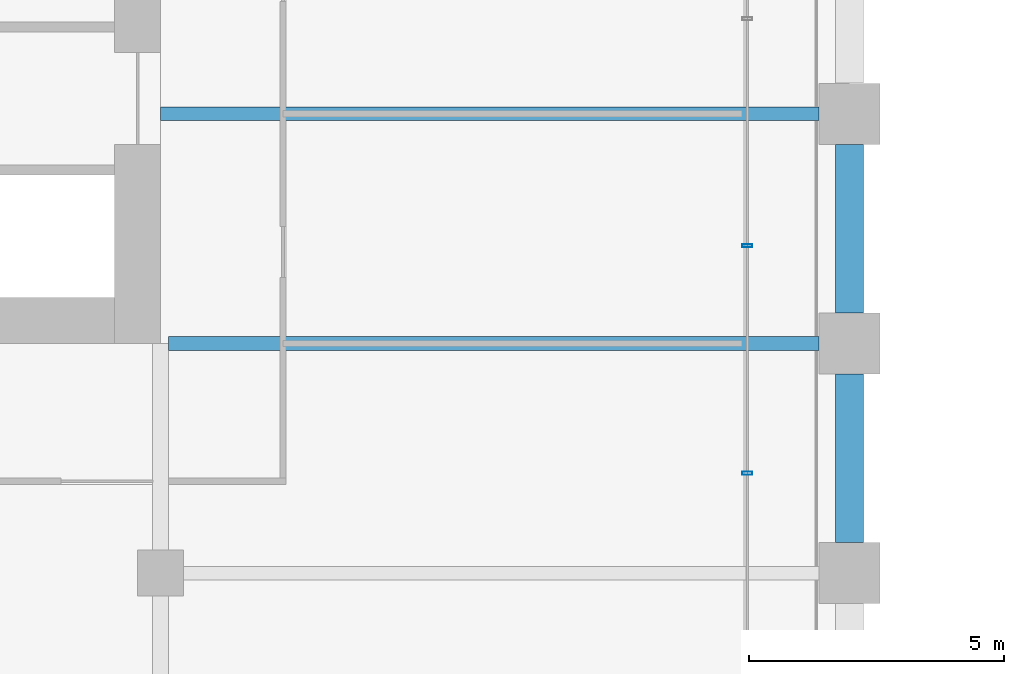
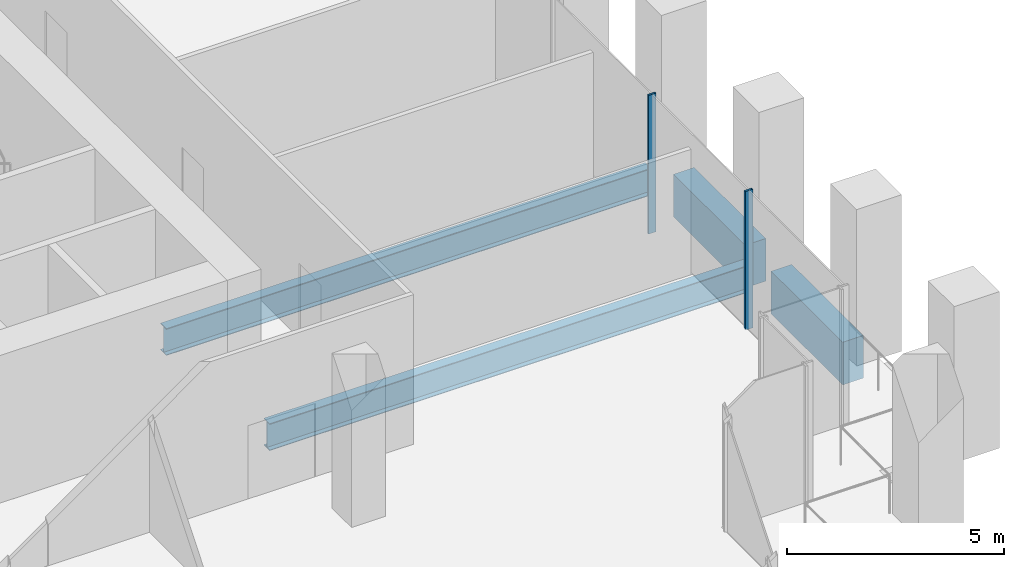
# One storey, part 10 of 36: 4 beams, 2 members, 1 element without a shape of its own.
"""IFC4 building model written with IfcOpenShell, lengths in metres."""

from ifc_helpers import new_model, si_unit, direction, frame, origin, origin_2d, place, context, subcontext, project, spatial, rectangle, hollow_rectangle, i_section, extrude, material, material_profile, profile_set, type_object, element, aggregate, save


model = new_model("IFC4")

# Units and contexts
model_context = context("Model", 3, precision=1e-05, world=origin(), true_north=direction((0.0, 1.0)))
body_context = subcontext(model_context, "Body", "Model", "MODEL_VIEW")
ifc_project = project(units=[si_unit("LENGTHUNIT", "METRE"), si_unit("AREAUNIT", "SQUARE_METRE"), si_unit("VOLUMEUNIT", "CUBIC_METRE"), si_unit("PLANEANGLEUNIT", "RADIAN"), si_unit("MASSUNIT", "GRAM", prefix="KILO")], contexts=[model_context])

# Site, building, storey
site_placement = place(None, origin())
site = spatial("IfcSite", under=ifc_project, at=site_placement, CompositionType="ELEMENT")
building_placement = place(site_placement, origin())
building = spatial("IfcBuilding", under=site, at=building_placement, Name="Altepetl Exchange Towers", CompositionType="ELEMENT")
storey_placement = place(building_placement, frame((0.0, 0.0, 43.0)))
storey = spatial("IfcBuildingStorey", under=building, at=storey_placement, Name="L09", CompositionType="ELEMENT", Elevation=43.0)

# Beams
ifc_material_1 = material(Name="Steel S355", Category="steel")
ifc_material_profile_1 = material_profile(ifc_material_1, i_section(OverallWidth=0.26611328125, OverallDepth=0.758056640625, WebThickness=0.013916015625, FlangeThickness=0.019287109375, at=origin_2d()), Name="W30X108")
ifc_profile_set_1 = profile_set([ifc_material_profile_1], Name="Steel S355")
beam_type_1 = type_object("IfcBeamType", Name="Floor beam W30X108", PredefinedType="BEAM", material=ifc_profile_set_1)
beam_1_placement = place(storey_placement, frame((58.654052734375, 40.5, -0.553955078125), z_axis=(1.0, 0.0, 0.0), x_axis=(0.0, 1.0, 0.0)))
element("IfcBeam", 1, at=beam_1_placement, inside=storey, type_object=beam_type_1, Name="bm:A:L09:008", PredefinedType="BEAM", context=body_context, shape_type="SweptSolid", body=[
    extrude(i_section(OverallWidth=0.26611328125, OverallDepth=0.758056640625, WebThickness=0.013916015625, FlangeThickness=0.019287109375, at=origin_2d()), origin(), (0.0, 0.0, 1.0), 12.745849609375),
])
beam_2_placement = place(storey_placement, frame((58.5, 45.0, -0.553955078125), z_axis=(1.0, 0.0, 0.0), x_axis=(0.0, 1.0, 0.0)))
element("IfcBeam", 2, at=beam_2_placement, inside=storey, type_object=beam_type_1, Name="bm:A:L09:009", PredefinedType="BEAM", context=body_context, shape_type="SweptSolid", body=[
    extrude(i_section(OverallWidth=0.26611328125, OverallDepth=0.758056640625, WebThickness=0.013916015625, FlangeThickness=0.019287109375, at=origin_2d()), origin(), (0.0, 0.0, 1.0), 12.89990234375),
])

# Curtain wall, members
ifc_material_2 = material(Name="Aluminium 6063-T6 glazing", Category="aluminium")
curtain_wall_type = type_object("IfcCurtainWallType", Name="Trading floor glazing system", PredefinedType="NOTDEFINED", material=ifc_material_2)
curtain_wall_placement = place(storey_placement, origin())
curtain_wall = element("IfcCurtainWall", 3, at=curtain_wall_placement, inside=storey, type_object=curtain_wall_type, Name="CW2 run", PredefinedType="NOTDEFINED")
ifc_material_3 = material(Name="Aluminium 6063-T6", Category="aluminium")
ifc_material_profile_2 = material_profile(ifc_material_3, hollow_rectangle(XDim=0.06005859375, YDim=0.199951171875, WallThickness=0.0029296875, at=origin_2d()), Name="Mullion 60x200 aluminium")
ifc_profile_set_2 = profile_set([ifc_material_profile_2], Name="Aluminium 6063-T6")
member_type = type_object("IfcMemberType", Name="Mullion 60x200 aluminium", PredefinedType="MULLION", material=ifc_profile_set_2)
member_1_placement = place(storey_placement, frame((70.0, 37.9560546875, 0.0), z_axis=(0.0, 0.0, 1.0), x_axis=(0.0, 1.0, 0.0)))
member_1 = element("IfcMember", 4, at=member_1_placement, type_object=member_type, Name="MU2 mullion", PredefinedType="MULLION", context=body_context, shape_type="SweptSolid", body=[
    extrude(hollow_rectangle(XDim=0.06005859375, YDim=0.199951171875, WallThickness=0.0029296875, at=origin_2d()), origin(), (0.0, 0.0, 1.0), 3.89990234375),
])
member_2_placement = place(storey_placement, frame((70.0, 42.412109375, 0.0), z_axis=(0.0, 0.0, 1.0), x_axis=(0.0, 1.0, 0.0)))
member_2 = element("IfcMember", 5, at=member_2_placement, type_object=member_type, Name="MU2 mullion", PredefinedType="MULLION", context=body_context, shape_type="SweptSolid", body=[
    extrude(hollow_rectangle(XDim=0.06005859375, YDim=0.199951171875, WallThickness=0.0029296875, at=origin_2d()), origin(), (0.0, 0.0, 1.0), 3.89990234375),
])
aggregate(curtain_wall, [member_1, member_2])

# Beams
ifc_material_4 = material(Name="Concrete C50/60 precast with cantera amarilla facing", Category="concrete")
ifc_material_profile_3 = material_profile(ifc_material_4, rectangle(XDim=0.550048828125, YDim=1.199951171875, at=origin_2d()), Name="550 x 1200")
ifc_profile_set_3 = profile_set([ifc_material_profile_3], Name="Concrete C50/60 precast with cantera amarilla facing")
beam_type_2 = type_object("IfcBeamType", Name="Spandrel beam 550x1200 cantera amarilla", PredefinedType="SPANDREL", material=ifc_profile_set_3)
for number, where, z_axis, x_axis, name in (
    (6, (72.0, 36.60009765625, -0.77490234375), (0.0, 1.0, 0.0), (-1.0, 0.0, 0.0), "sp:A:L09:013"),
    (7, (72.0, 41.10009765625, -0.77490234375), (0.0, 1.0, 0.0), (-1.0, 0.0, 0.0), "sp:A:L09:014"),
):
    element("IfcBeam", number, at=place(storey_placement, frame(where, z_axis=z_axis, x_axis=x_axis)), inside=storey, type_object=beam_type_2, Name=name, PredefinedType="SPANDREL", context=body_context, shape_type="SweptSolid", body=[
        extrude(rectangle(XDim=0.550048828125, YDim=1.199951171875, at=origin_2d()), origin(), (0.0, 0.0, 1.0), 3.2998046875),
    ])

save(model, "model.ifc")
